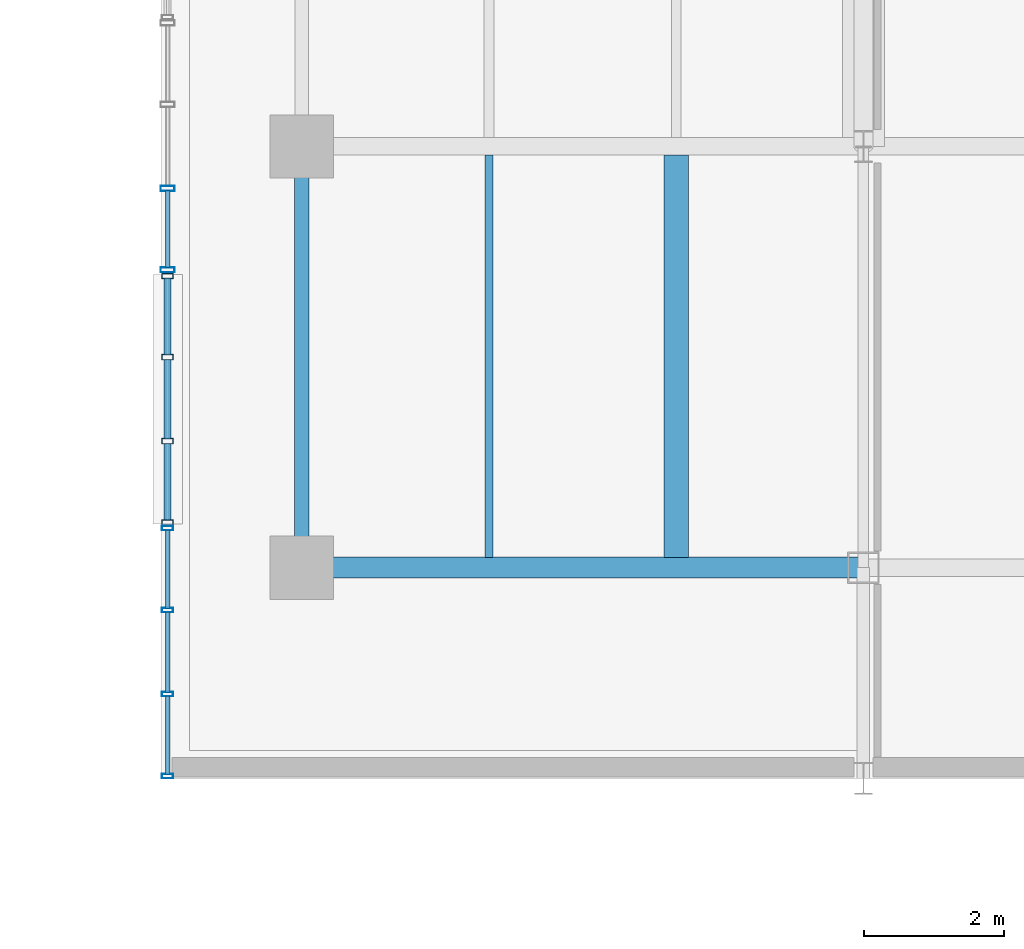
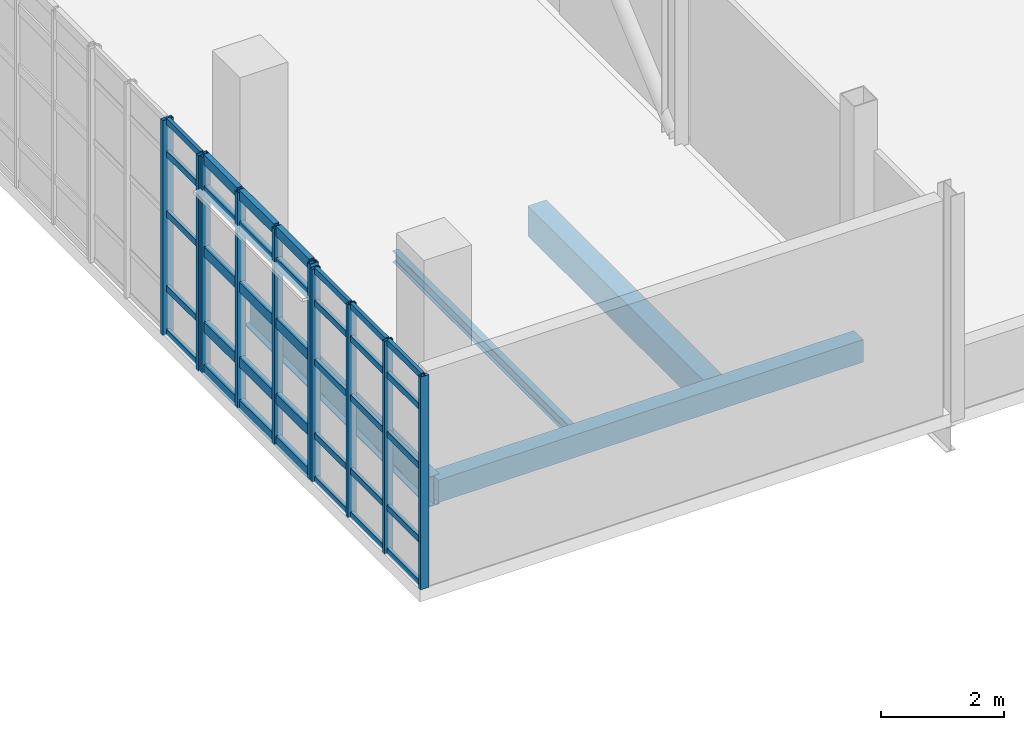
# One storey, part 9 of 38: 45 members, 4 beams, 3 elements without a shape of their own.
"""IFC4 building model written with IfcOpenShell, lengths in metres."""

import ifcopenshell
import ifcopenshell.guid

model = None  # the IFC model being written
_history = None  # IfcOwnerHistory: only IFC2X3 demands one
_inside = {}  # id of a spatial element -> (the spatial element, [elements in it])
_under = {}  # id of a project, library or spatial element -> (it, [spatial elements below it])
_declared = {}  # id of a project -> (the project, [libraries it declares])
_typed = {}  # id of a type object -> (the type object, [elements of that type])
_made_of = {}  # id of a material, layer set ... -> (it, [elements and type objects made of it])


def new_model(schema):
    """Start an empty IFC model of exactly this schema.

    Asked for "IFC4X3", IfcOpenShell would pick the latest addendum, in which some entities
    have other attributes; the version numbers below select the first issue.
    IFC2X3 requires an IfcOwnerHistory on every rooted entity: one is made here for all.
    """
    global model, _history
    if schema == "IFC4X3":
        model = ifcopenshell.file(schema_version=(4, 3, 0, 0))
    else:
        model = ifcopenshell.file(schema=schema)
    _inside.clear()
    _under.clear()
    _declared.clear()
    _typed.clear()
    _made_of.clear()
    _history = None
    if model.schema == "IFC2X3":
        org = make("IfcOrganization", Name="unknown")
        user = make(
            "IfcPersonAndOrganization",
            ThePerson=make("IfcPerson", FamilyName="unknown"),
            TheOrganization=org,
        )
        app = make(
            "IfcApplication",
            ApplicationDeveloper=org,
            Version="unknown",
            ApplicationFullName="unknown",
            ApplicationIdentifier="unknown",
        )
        _history = make(
            "IfcOwnerHistory",
            OwningUser=user,
            OwningApplication=app,
            ChangeAction="ADDED",
            CreationDate=0,
        )
    return model


def make(cls, **values):
    """One entity of the class cls with the attributes given. An attribute that is None is left unset."""
    return model.create_entity(
        cls, **{name: value for name, value in values.items() if value is not None}
    )


def rooted(cls, **values):
    """An entity with a GlobalId (a new one), such as an element, a storey or a relation."""
    return make(cls, GlobalId=ifcopenshell.guid.new(), OwnerHistory=_history, **values)


def si_unit(unit_type, name, prefix=None):
    """IfcSIUnit, for example si_unit("LENGTHUNIT", "METRE", prefix="MILLI")."""
    return make("IfcSIUnit", UnitType=unit_type, Prefix=prefix, Name=name)


def derived_unit(unit_type, elements):
    """IfcDerivedUnit: a product of units, each with its exponent."""
    return make(
        "IfcDerivedUnit",
        Elements=[
            make("IfcDerivedUnitElement", Unit=unit, Exponent=power)
            for unit, power in elements
        ],
        UnitType=unit_type,
    )


def assignment(units):
    """IfcUnitAssignment: the units of a project."""
    return None if units is None else make("IfcUnitAssignment", Units=units)


def point(xyz):
    """IfcCartesianPoint."""
    return None if xyz is None else make("IfcCartesianPoint", Coordinates=xyz)


def direction(xyz):
    """IfcDirection."""
    return None if xyz is None else make("IfcDirection", DirectionRatios=xyz)


def frame(location, z_axis=None, x_axis=None):
    """IfcAxis2Placement3D, a coordinate frame: its origin and axes. An axis left out is left unset."""
    return make(
        "IfcAxis2Placement3D",
        Location=point(location),
        Axis=direction(z_axis),
        RefDirection=direction(x_axis),
    )


def frame_2d(location, x_axis=None):
    """IfcAxis2Placement2D, a coordinate frame in the plane: its origin and x axis."""
    return make(
        "IfcAxis2Placement2D", Location=point(location), RefDirection=direction(x_axis)
    )


def origin():
    """The frame at (0, 0, 0) with its axes left unset."""
    return frame((0.0, 0.0, 0.0))


def origin_2d():
    """The frame at (0, 0) in the plane with its x axis left unset."""
    return frame_2d((0.0, 0.0))


def place(relative_to, where):
    """IfcLocalPlacement: puts the frame where relative to a parent placement (None: the world)."""
    return make(
        "IfcLocalPlacement", PlacementRelTo=relative_to, RelativePlacement=where
    )


def context(
    kind, dimensions, precision=None, world=None, true_north=None, identifier=None
):
    """IfcGeometricRepresentationContext, for example the 3D "Model" context."""
    return make(
        "IfcGeometricRepresentationContext",
        ContextIdentifier=identifier,
        ContextType=kind,
        CoordinateSpaceDimension=dimensions,
        Precision=precision,
        WorldCoordinateSystem=world,
        TrueNorth=true_north,
    )


def subcontext(parent, identifier, kind, view, scale=None):
    """IfcGeometricRepresentationSubContext, for example "Body" below "Model"."""
    return make(
        "IfcGeometricRepresentationSubContext",
        ContextIdentifier=identifier,
        ContextType=kind,
        ParentContext=parent,
        TargetScale=scale,
        TargetView=view,
    )


def project(units=None, contexts=None):
    """IfcProject with its units and contexts."""
    return rooted(
        "IfcProject",
        Name="project",
        RepresentationContexts=contexts,
        UnitsInContext=assignment(units),
    )


def spatial(cls, under=None, at=None, **own):
    """A site, building, storey or space (cls), placed at a placement, below another one or the project."""
    s = rooted(cls, ObjectPlacement=at, **own)
    if under is not None:
        _under.setdefault(under.id(), (under, []))[1].append(s)
    return s


def profile(cls, at=None, kind="AREA", **sizes):
    """A parametric profile (cls). Its sizes go by their IFC names, for example OverallWidth=200.0."""
    return make(cls, ProfileType=kind, Position=at, **sizes)


def rectangle(**sizes):
    """IfcRectangleProfileDef."""
    return profile("IfcRectangleProfileDef", **sizes)


def hollow_rectangle(**sizes):
    """IfcRectangleHollowProfileDef."""
    return profile("IfcRectangleHollowProfileDef", **sizes)


def i_section(**sizes):
    """IfcIShapeProfileDef."""
    return profile("IfcIShapeProfileDef", **sizes)


def extrude(swept, where, along, depth):
    """IfcExtrudedAreaSolid: the profile swept, set in the frame where, extruded along a direction by depth."""
    return make(
        "IfcExtrudedAreaSolid",
        SweptArea=swept,
        Position=where,
        ExtrudedDirection=direction(along),
        Depth=depth,
    )


def shape(context_of_items, identifier, shape_type, items):
    """IfcShapeRepresentation: the items that make up one representation, for example the "Body"."""
    return make(
        "IfcShapeRepresentation",
        ContextOfItems=context_of_items,
        RepresentationIdentifier=identifier,
        RepresentationType=shape_type,
        Items=items,
    )


def material(Name=None, Category=None):
    """IfcMaterial."""
    return make("IfcMaterial", Name=Name, Category=Category)


def layer(
    of_material, thickness, ventilated=None, Name=None, Category=None, Priority=None
):
    """IfcMaterialLayer: one layer of a wall or slab, of a material (None: an air gap)."""
    return make(
        "IfcMaterialLayer",
        Material=of_material,
        LayerThickness=thickness,
        IsVentilated=ventilated,
        Name=Name,
        Category=Category,
        Priority=Priority,
    )


def layer_set(layers, Name=None):
    """IfcMaterialLayerSet."""
    return make("IfcMaterialLayerSet", MaterialLayers=layers, LayerSetName=Name)


def material_profile(
    of_material, cross_section, Name=None, Category=None, Priority=None
):
    """IfcMaterialProfile: a cross section and its material."""
    return make(
        "IfcMaterialProfile",
        Name=Name,
        Material=of_material,
        Profile=cross_section,
        Priority=Priority,
        Category=Category,
    )


def profile_set(profiles, Name=None, composite=None):
    """IfcMaterialProfileSet."""
    return make(
        "IfcMaterialProfileSet",
        Name=Name,
        MaterialProfiles=profiles,
        CompositeProfile=composite,
    )


def made_of(thing, what):
    """Note that an element or type object is made of a material, layer set ...; save() writes the relation."""
    if what is not None:
        _made_of.setdefault(what.id(), (what, []))[1].append(thing)
    return thing


def type_object(cls, material=None, **own):
    """A type object (cls), such as IfcWallType, which elements share."""
    return made_of(rooted(cls, **own), material)


def element(
    cls,
    number,
    at=None,
    inside=None,
    cuts=None,
    type_object=None,
    material=None,
    context=None,
    identifier="Body",
    shape_type=None,
    held_by="IfcProductDefinitionShape",
    body=None,
    shapes=None,
    **own,
):
    """One element of the class cls, such as IfcWall. Its Tag is "e" and its number.

    at: its placement. inside: the storey or other place that contains it. cuts: it is an
    opening in that element (IfcRelVoidsElement). A single representation is given by context,
    identifier, shape_type and body (its items); several are given by shapes. held_by: the class
    of the entity that holds the representations. save() writes the other relations.
    """
    e = rooted(cls, Tag="e%d" % number, ObjectPlacement=at, **own)
    if body is not None:
        shapes = [shape(context, identifier, shape_type, body)]
    if shapes is not None:
        e.Representation = make(held_by, Representations=shapes)
    if inside is not None:
        _inside.setdefault(inside.id(), (inside, []))[1].append(e)
    if cuts is not None:
        rooted(
            "IfcRelVoidsElement", RelatingBuildingElement=cuts, RelatedOpeningElement=e
        )
    if type_object is not None:
        _typed.setdefault(type_object.id(), (type_object, []))[1].append(e)
    return made_of(e, material)


def aggregate(whole, parts):
    """IfcRelAggregates: a whole, such as a stair, and the parts it consists of."""
    return rooted("IfcRelAggregates", RelatingObject=whole, RelatedObjects=parts)


def save(model, path):
    """Write the relations noted so far, then the file.

    IfcRelAggregates (storeys below a building ...), IfcRelContainedInSpatialStructure (elements
    in a storey), IfcRelDefinesByType, IfcRelAssociatesMaterial and IfcRelDeclares: one each for
    every whole, place, type object, material and project.
    """
    for whole, parts in _under.values():
        aggregate(whole, parts)
    for where, things in _inside.values():
        rooted(
            "IfcRelContainedInSpatialStructure",
            RelatedElements=things,
            RelatingStructure=where,
        )
    for kind, things in _typed.values():
        rooted("IfcRelDefinesByType", RelatedObjects=things, RelatingType=kind)
    for what, things in _made_of.values():
        rooted("IfcRelAssociatesMaterial", RelatedObjects=things, RelatingMaterial=what)
    for by, libraries in _declared.values():
        rooted("IfcRelDeclares", RelatingContext=by, RelatedDefinitions=libraries)
    model.write(path)


model = new_model("IFC4")

# Units and contexts
model_context = context("Model", 3, precision=1e-05, world=origin(), true_north=direction((0.0, 1.0)))
body_context = subcontext(model_context, "Body", "Model", "MODEL_VIEW")
ifc_project = project(units=[si_unit("LENGTHUNIT", "METRE"), si_unit("AREAUNIT", "SQUARE_METRE"), si_unit("VOLUMEUNIT", "CUBIC_METRE"), si_unit("PLANEANGLEUNIT", "RADIAN"), si_unit("MASSUNIT", "GRAM", prefix="KILO"), derived_unit("THERMALTRANSMITTANCEUNIT", [(si_unit("POWERUNIT", "WATT"), 1), (si_unit("LENGTHUNIT", "METRE"), -2), (si_unit("THERMODYNAMICTEMPERATUREUNIT", "KELVIN"), -1)])], contexts=[model_context])

# Site, building, storey
site_placement = place(None, origin())
site = spatial("IfcSite", under=ifc_project, at=site_placement, CompositionType="ELEMENT")
building_placement = place(site_placement, origin())
building = spatial("IfcBuilding", under=site, at=building_placement, Name="Nallur Shell Playhouse", CompositionType="ELEMENT")
storey_placement = place(building_placement, frame((0.0, 0.0, 24.300048828125)))
storey = spatial("IfcBuildingStorey", under=building, at=storey_placement, Name="L06", CompositionType="ELEMENT", Elevation=24.300048828125)

# Beams
ifc_material_1 = material(Name="Steel E250", Category="steel")
ifc_material_profile_1 = material_profile(ifc_material_1, i_section(OverallWidth=0.110107421875, OverallDepth=0.22509765625, WebThickness=0.006591796875, FlangeThickness=0.01171875, FilletRadius=0.011962890625, at=origin_2d()), Name="ISMB 225")
ifc_profile_set_1 = profile_set([ifc_material_profile_1], Name="Steel E250")
beam_type_1 = type_object("IfcBeamType", Name="BM-JST-ISMB225", PredefinedType="JOIST", material=ifc_profile_set_1)
beam_1_placement = place(storey_placement, frame((58.666748046875, 50.14794921875, -0.362548828125), z_axis=(0.0, 1.0, 0.0), x_axis=(-1.0, 0.0, 0.0)))
element("IfcBeam", 1, at=beam_1_placement, inside=storey, type_object=beam_type_1, Name="L06 secondary joist 7-F-1205", PredefinedType="JOIST", context=body_context, shape_type="SweptSolid", body=[
    extrude(i_section(OverallWidth=0.110107421875, OverallDepth=0.22509765625, WebThickness=0.006591796875, FlangeThickness=0.01171875, FilletRadius=0.011962890625, at=origin_2d()), origin(), (0.0, 0.0, 1.0), 5.72900390625),
])
ifc_material_2 = material(Name="Concrete M30", Category="concrete")
ifc_material_profile_2 = material_profile(ifc_material_2, rectangle(XDim=0.35009765625, YDim=0.60009765625, at=origin_2d()), Name="RC 350x600")
ifc_profile_set_2 = profile_set([ifc_material_profile_2], Name="Concrete M30")
beam_type_2 = type_object("IfcBeamType", Name="BM-RC-350x600", PredefinedType="JOIST", material=ifc_profile_set_2)
beam_2_placement = place(storey_placement, frame((61.333251953125, 50.14794921875, -0.550048828125), z_axis=(0.0, 1.0, 0.0), x_axis=(-1.0, 0.0, 0.0)))
element("IfcBeam", 2, at=beam_2_placement, inside=storey, type_object=beam_type_2, Name="L06 secondary joist 7-F-1206", PredefinedType="JOIST", context=body_context, shape_type="SweptSolid", body=[
    extrude(rectangle(XDim=0.35009765625, YDim=0.60009765625, at=origin_2d()), origin(), (0.0, 0.0, 1.0), 5.72900390625),
])
ifc_material_3 = material(Name="Concrete M35", Category="concrete")
ifc_material_profile_3 = material_profile(ifc_material_3, rectangle(XDim=0.300048828125, YDim=0.449951171875, at=origin_2d()), Name="RC 300x450")
ifc_profile_set_3 = profile_set([ifc_material_profile_3], Name="Concrete M35")
beam_type_3 = type_object("IfcBeamType", Name="BM-SPN-300x450", PredefinedType="SPANDREL", material=ifc_profile_set_3)
beam_3_placement = place(storey_placement, frame((56.0, 50.0, -0.47509765625), z_axis=(1.0, 0.0, 0.0), x_axis=(0.0, 1.0, 0.0)))
element("IfcBeam", 3, at=beam_3_placement, inside=storey, type_object=beam_type_3, Name="L06 girder X-F-1136", PredefinedType="SPANDREL", context=body_context, shape_type="SweptSolid", body=[
    extrude(rectangle(XDim=0.300048828125, YDim=0.449951171875, at=origin_2d()), origin(), (0.0, 0.0, 1.0), 8.0),
])
ifc_material_4 = material(Name="Steel E350", Category="steel")
ifc_material_profile_4 = material_profile(ifc_material_4, i_section(OverallWidth=0.2099609375, OverallDepth=0.60009765625, WebThickness=0.011962890625, FlangeThickness=0.020751953125, FilletRadius=0.02001953125, at=origin_2d()), Name="ISMB 600")
ifc_profile_set_4 = profile_set([ifc_material_profile_4], Name="Steel E350")
beam_type_4 = type_object("IfcBeamType", Name="BM-ST-ISMB600", PredefinedType="BEAM", material=ifc_profile_set_4)
beam_4_placement = place(storey_placement, frame((56.0, 50.0, -0.550048828125), z_axis=(0.0, 1.0, 0.0), x_axis=(-1.0, 0.0, 0.0)))
element("IfcBeam", 4, at=beam_4_placement, inside=storey, type_object=beam_type_4, Name="L06 girder Y-7-1176", PredefinedType="BEAM", context=body_context, shape_type="SweptSolid", body=[
    extrude(i_section(OverallWidth=0.2099609375, OverallDepth=0.60009765625, WebThickness=0.011962890625, FlangeThickness=0.020751953125, FilletRadius=0.02001953125, at=origin_2d()), origin(), (0.0, 0.0, 1.0), 6.0),
])

# Curtain wall, members
ifc_material_5 = material(Name="Anodised Aluminium Double-Glazed Facade System", Category="aluminium")
ifc_layer_1 = layer(ifc_material_5, 0.176025390625)
ifc_layer_set_1 = layer_set([ifc_layer_1], Name="Anodised Aluminium Double-Glazed Facade System")
curtain_wall_type_1 = type_object("IfcCurtainWallType", Name="CW-UNIT-28", PredefinedType="NOTDEFINED", material=ifc_layer_set_1)
curtain_wall_1_placement = place(storey_placement, origin())
curtain_wall_1 = element("IfcCurtainWall", 5, at=curtain_wall_1_placement, inside=storey, type_object=curtain_wall_type_1, Name="Unitised curtain wall CW-188 (L06)", PredefinedType="NOTDEFINED")
ifc_material_6 = material(Name="Aluminium Alloy 6063-T6 Mullion", Category="aluminium")
ifc_material_profile_5 = material_profile(ifc_material_6, hollow_rectangle(XDim=0.080078125, YDim=0.159912109375, WallThickness=0.006103515625, at=origin_2d()), Name="RHS 160x80x6")
ifc_profile_set_5 = profile_set([ifc_material_profile_5], Name="Aluminium Alloy 6063-T6 Mullion")
member_type_1 = type_object("IfcMemberType", Name="MB-CW-MUL150", PredefinedType="MULLION", material=ifc_profile_set_5)
member_1_placement = place(storey_placement, frame((54.090087890625, 50.64501953125, -0.01513671875), z_axis=(0.0, 0.0, 1.0), x_axis=(0.0, 1.0, 0.0)))
member_1 = element("IfcMember", 6, at=member_1_placement, type_object=member_type_1, Name="CW-28 mullion 1", PredefinedType="MULLION", context=body_context, shape_type="SweptSolid", body=[
    extrude(hollow_rectangle(XDim=0.080078125, YDim=0.159912109375, WallThickness=0.006103515625, at=origin_2d()), origin(), (0.0, 0.0, 1.0), 4.299072265625),
])
member_2_placement = place(storey_placement, frame((54.090087890625, 51.8017578125, -0.01513671875), z_axis=(0.0, 0.0, 1.0), x_axis=(0.0, 1.0, 0.0)))
member_2 = element("IfcMember", 7, at=member_2_placement, type_object=member_type_1, Name="CW-28 mullion 2", PredefinedType="MULLION", context=body_context, shape_type="SweptSolid", body=[
    extrude(hollow_rectangle(XDim=0.080078125, YDim=0.159912109375, WallThickness=0.006103515625, at=origin_2d()), origin(), (0.0, 0.0, 1.0), 4.299072265625),
])
member_3_placement = place(storey_placement, frame((54.090087890625, 52.998291015625, -0.01513671875), z_axis=(0.0, 0.0, 1.0), x_axis=(0.0, 1.0, 0.0)))
member_3 = element("IfcMember", 8, at=member_3_placement, type_object=member_type_1, Name="CW-28 mullion 3", PredefinedType="MULLION", context=body_context, shape_type="SweptSolid", body=[
    extrude(hollow_rectangle(XDim=0.080078125, YDim=0.159912109375, WallThickness=0.006103515625, at=origin_2d()), origin(), (0.0, 0.0, 1.0), 4.299072265625),
])
member_4_placement = place(storey_placement, frame((54.090087890625, 54.155029296875, -0.01513671875), z_axis=(0.0, 0.0, 1.0), x_axis=(0.0, 1.0, 0.0)))
member_4 = element("IfcMember", 9, at=member_4_placement, type_object=member_type_1, Name="CW-28 mullion 4", PredefinedType="MULLION", context=body_context, shape_type="SweptSolid", body=[
    extrude(hollow_rectangle(XDim=0.080078125, YDim=0.159912109375, WallThickness=0.006103515625, at=origin_2d()), origin(), (0.0, 0.0, 1.0), 4.299072265625),
])

ifc_layer_2 = layer(ifc_material_5, 0.172119140625)
ifc_layer_set_2 = layer_set([ifc_layer_2], Name="Anodised Aluminium Double-Glazed Facade System")
curtain_wall_type_2 = type_object("IfcCurtainWallType", Name="CW-UNIT-27", PredefinedType="NOTDEFINED", material=ifc_layer_set_2)
curtain_wall_2_placement = place(storey_placement, origin())
curtain_wall_2 = element("IfcCurtainWall", 10, at=curtain_wall_2_placement, inside=storey, type_object=curtain_wall_type_2, Name="Unitised curtain wall CW-187 (L06)", PredefinedType="NOTDEFINED")
ifc_material_profile_6 = material_profile(ifc_material_6, hollow_rectangle(XDim=0.06494140625, YDim=0.159912109375, WallThickness=0.00390625, at=origin_2d()), Name="ALU 65x160x4")
ifc_profile_set_6 = profile_set([ifc_material_profile_6], Name="Aluminium Alloy 6063-T6 Mullion")
member_type_2 = type_object("IfcMemberType", Name="MB-CW-MUL160", PredefinedType="MULLION", material=ifc_profile_set_6)
member_5_placement = place(storey_placement, frame((54.090087890625, 47.032470703125, -0.01513671875), z_axis=(0.0, 0.0, 1.0), x_axis=(0.0, 1.0, 0.0)))
member_5 = element("IfcMember", 11, at=member_5_placement, type_object=member_type_2, Name="CW-27 mullion 1", PredefinedType="MULLION", context=body_context, shape_type="SweptSolid", body=[
    extrude(hollow_rectangle(XDim=0.06494140625, YDim=0.159912109375, WallThickness=0.00390625, at=origin_2d()), origin(), (0.0, 0.0, 1.0), 4.239013671875),
])
member_6_placement = place(storey_placement, frame((54.090087890625, 48.1982421875, -0.01513671875), z_axis=(0.0, 0.0, 1.0), x_axis=(0.0, 1.0, 0.0)))
member_6 = element("IfcMember", 12, at=member_6_placement, type_object=member_type_2, Name="CW-27 mullion 2", PredefinedType="MULLION", context=body_context, shape_type="SweptSolid", body=[
    extrude(hollow_rectangle(XDim=0.06494140625, YDim=0.159912109375, WallThickness=0.00390625, at=origin_2d()), origin(), (0.0, 0.0, 1.0), 4.239013671875),
])
member_7_placement = place(storey_placement, frame((54.090087890625, 49.396728515625, -0.01513671875), z_axis=(0.0, 0.0, 1.0), x_axis=(0.0, 1.0, 0.0)))
member_7 = element("IfcMember", 13, at=member_7_placement, type_object=member_type_2, Name="CW-27 mullion 3", PredefinedType="MULLION", context=body_context, shape_type="SweptSolid", body=[
    extrude(hollow_rectangle(XDim=0.06494140625, YDim=0.159912109375, WallThickness=0.00390625, at=origin_2d()), origin(), (0.0, 0.0, 1.0), 4.239013671875),
])
member_8_placement = place(storey_placement, frame((54.090087890625, 50.5625, -0.01513671875), z_axis=(0.0, 0.0, 1.0), x_axis=(0.0, 1.0, 0.0)))
member_8 = element("IfcMember", 14, at=member_8_placement, type_object=member_type_2, Name="CW-27 mullion 4", PredefinedType="MULLION", context=body_context, shape_type="SweptSolid", body=[
    extrude(hollow_rectangle(XDim=0.06494140625, YDim=0.159912109375, WallThickness=0.00390625, at=origin_2d()), origin(), (0.0, 0.0, 1.0), 4.239013671875),
])

ifc_layer_3 = layer(ifc_material_5, 0.179931640625)
ifc_layer_set_3 = layer_set([ifc_layer_3], Name="Anodised Aluminium Double-Glazed Facade System")
curtain_wall_type_3 = type_object("IfcCurtainWallType", Name="CW-UNIT-29", PredefinedType="NOTDEFINED", material=ifc_layer_set_3)
curtain_wall_3_placement = place(storey_placement, origin())
curtain_wall_3 = element("IfcCurtainWall", 15, at=curtain_wall_3_placement, inside=storey, type_object=curtain_wall_type_3, Name="Unitised curtain wall CW-189 (L06)", PredefinedType="NOTDEFINED")
ifc_material_profile_7 = material_profile(ifc_material_6, hollow_rectangle(XDim=0.074951171875, YDim=0.199951171875, WallThickness=0.0048828125, at=origin_2d()), Name="ALU 75x200x5")
ifc_profile_set_7 = profile_set([ifc_material_profile_7], Name="Aluminium Alloy 6063-T6 Mullion")
member_type_3 = type_object("IfcMemberType", Name="MB-CW-MUL180", PredefinedType="MULLION", material=ifc_profile_set_7)
member_9_placement = place(storey_placement, frame((54.090087890625, 54.242431640625, -0.01513671875), z_axis=(0.0, 0.0, 1.0), x_axis=(0.0, 1.0, 0.0)))
member_9 = element("IfcMember", 16, at=member_9_placement, type_object=member_type_3, Name="CW-29 mullion 1", PredefinedType="MULLION", context=body_context, shape_type="SweptSolid", body=[
    extrude(hollow_rectangle(XDim=0.074951171875, YDim=0.199951171875, WallThickness=0.0048828125, at=origin_2d()), origin(), (0.0, 0.0, 1.0), 4.279052734375),
])
member_10_placement = place(storey_placement, frame((54.090087890625, 55.401611328125, -0.01513671875), z_axis=(0.0, 0.0, 1.0), x_axis=(0.0, 1.0, 0.0)))
member_10 = element("IfcMember", 17, at=member_10_placement, type_object=member_type_3, Name="CW-29 mullion 2", PredefinedType="MULLION", context=body_context, shape_type="SweptSolid", body=[
    extrude(hollow_rectangle(XDim=0.074951171875, YDim=0.199951171875, WallThickness=0.0048828125, at=origin_2d()), origin(), (0.0, 0.0, 1.0), 4.279052734375),
])

# Member
ifc_material_7 = material(Name="Aluminium Alloy 6063-T6 Transom", Category="aluminium")
ifc_material_profile_8 = material_profile(ifc_material_7, hollow_rectangle(XDim=0.06494140625, YDim=0.1201171875, WallThickness=0.00390625, at=origin_2d()), Name="ALU 65x120x4")
ifc_profile_set_8 = profile_set([ifc_material_profile_8], Name="Aluminium Alloy 6063-T6 Transom")
member_type_4 = type_object("IfcMemberType", Name="MB-CW-TRN120", PredefinedType="USERDEFINED", material=ifc_profile_set_8)
member_11_placement = place(storey_placement, frame((54.090087890625, 47.056884765625, 0.032470703125), z_axis=(0.0, 1.0, 0.0), x_axis=(-1.0, 0.0, 0.0)))
member_11 = element("IfcMember", 18, at=member_11_placement, type_object=member_type_4, Name="CW-27 transom 1.1", ObjectType="TRANSOM", PredefinedType="USERDEFINED", context=body_context, shape_type="SweptSolid", body=[
    extrude(hollow_rectangle(XDim=0.06494140625, YDim=0.1201171875, WallThickness=0.00390625, at=origin_2d()), origin(), (0.0, 0.0, 1.0), 1.116943359375),
])

member_12_placement = place(storey_placement, frame((54.090087890625, 47.056884765625, 0.89990234375), z_axis=(0.0, 1.0, 0.0), x_axis=(-1.0, 0.0, 0.0)))
member_12 = element("IfcMember", 19, at=member_12_placement, type_object=member_type_4, Name="CW-27 transom 1.2", ObjectType="TRANSOM", PredefinedType="USERDEFINED", context=body_context, shape_type="SweptSolid", body=[
    extrude(hollow_rectangle(XDim=0.06494140625, YDim=0.1201171875, WallThickness=0.00390625, at=origin_2d()), origin(), (0.0, 0.0, 1.0), 1.116943359375),
])

member_13_placement = place(storey_placement, frame((54.090087890625, 47.056884765625, 2.363037109375), z_axis=(0.0, 1.0, 0.0), x_axis=(-1.0, 0.0, 0.0)))
member_13 = element("IfcMember", 20, at=member_13_placement, type_object=member_type_4, Name="CW-27 transom 1.3", ObjectType="TRANSOM", PredefinedType="USERDEFINED", context=body_context, shape_type="SweptSolid", body=[
    extrude(hollow_rectangle(XDim=0.06494140625, YDim=0.1201171875, WallThickness=0.00390625, at=origin_2d()), origin(), (0.0, 0.0, 1.0), 1.116943359375),
])

member_14_placement = place(storey_placement, frame((54.090087890625, 47.056884765625, 3.5400390625), z_axis=(0.0, 1.0, 0.0), x_axis=(-1.0, 0.0, 0.0)))
member_14 = element("IfcMember", 21, at=member_14_placement, type_object=member_type_4, Name="CW-27 transom 1.4", ObjectType="TRANSOM", PredefinedType="USERDEFINED", context=body_context, shape_type="SweptSolid", body=[
    extrude(hollow_rectangle(XDim=0.06494140625, YDim=0.1201171875, WallThickness=0.00390625, at=origin_2d()), origin(), (0.0, 0.0, 1.0), 1.116943359375),
])

member_15_placement = place(storey_placement, frame((54.090087890625, 47.056884765625, 4.1875), z_axis=(0.0, 1.0, 0.0), x_axis=(-1.0, 0.0, 0.0)))
member_15 = element("IfcMember", 22, at=member_15_placement, type_object=member_type_4, Name="CW-27 transom 1.5", ObjectType="TRANSOM", PredefinedType="USERDEFINED", context=body_context, shape_type="SweptSolid", body=[
    extrude(hollow_rectangle(XDim=0.06494140625, YDim=0.1201171875, WallThickness=0.00390625, at=origin_2d()), origin(), (0.0, 0.0, 1.0), 1.116943359375),
])

member_16_placement = place(storey_placement, frame((54.090087890625, 48.222900390625, 0.032470703125), z_axis=(0.0, 1.0, 0.0), x_axis=(-1.0, 0.0, 0.0)))
member_16 = element("IfcMember", 23, at=member_16_placement, type_object=member_type_4, Name="CW-27 transom 2.1", ObjectType="TRANSOM", PredefinedType="USERDEFINED", context=body_context, shape_type="SweptSolid", body=[
    extrude(hollow_rectangle(XDim=0.06494140625, YDim=0.1201171875, WallThickness=0.00390625, at=origin_2d()), origin(), (0.0, 0.0, 1.0), 1.149169921875),
])

member_17_placement = place(storey_placement, frame((54.090087890625, 48.222900390625, 0.89990234375), z_axis=(0.0, 1.0, 0.0), x_axis=(-1.0, 0.0, 0.0)))
member_17 = element("IfcMember", 24, at=member_17_placement, type_object=member_type_4, Name="CW-27 transom 2.2", ObjectType="TRANSOM", PredefinedType="USERDEFINED", context=body_context, shape_type="SweptSolid", body=[
    extrude(hollow_rectangle(XDim=0.06494140625, YDim=0.1201171875, WallThickness=0.00390625, at=origin_2d()), origin(), (0.0, 0.0, 1.0), 1.149169921875),
])

member_18_placement = place(storey_placement, frame((54.090087890625, 48.222900390625, 2.363037109375), z_axis=(0.0, 1.0, 0.0), x_axis=(-1.0, 0.0, 0.0)))
member_18 = element("IfcMember", 25, at=member_18_placement, type_object=member_type_4, Name="CW-27 transom 2.3", ObjectType="TRANSOM", PredefinedType="USERDEFINED", context=body_context, shape_type="SweptSolid", body=[
    extrude(hollow_rectangle(XDim=0.06494140625, YDim=0.1201171875, WallThickness=0.00390625, at=origin_2d()), origin(), (0.0, 0.0, 1.0), 1.149169921875),
])

member_19_placement = place(storey_placement, frame((54.090087890625, 48.222900390625, 3.5400390625), z_axis=(0.0, 1.0, 0.0), x_axis=(-1.0, 0.0, 0.0)))
member_19 = element("IfcMember", 26, at=member_19_placement, type_object=member_type_4, Name="CW-27 transom 2.4", ObjectType="TRANSOM", PredefinedType="USERDEFINED", context=body_context, shape_type="SweptSolid", body=[
    extrude(hollow_rectangle(XDim=0.06494140625, YDim=0.1201171875, WallThickness=0.00390625, at=origin_2d()), origin(), (0.0, 0.0, 1.0), 1.149169921875),
])

member_20_placement = place(storey_placement, frame((54.090087890625, 48.222900390625, 4.1875), z_axis=(0.0, 1.0, 0.0), x_axis=(-1.0, 0.0, 0.0)))
member_20 = element("IfcMember", 27, at=member_20_placement, type_object=member_type_4, Name="CW-27 transom 2.5", ObjectType="TRANSOM", PredefinedType="USERDEFINED", context=body_context, shape_type="SweptSolid", body=[
    extrude(hollow_rectangle(XDim=0.06494140625, YDim=0.1201171875, WallThickness=0.00390625, at=origin_2d()), origin(), (0.0, 0.0, 1.0), 1.149169921875),
])

member_21_placement = place(storey_placement, frame((54.090087890625, 49.421142578125, 0.032470703125), z_axis=(0.0, 1.0, 0.0), x_axis=(-1.0, 0.0, 0.0)))
member_21 = element("IfcMember", 28, at=member_21_placement, type_object=member_type_4, Name="CW-27 transom 3.1", ObjectType="TRANSOM", PredefinedType="USERDEFINED", context=body_context, shape_type="SweptSolid", body=[
    extrude(hollow_rectangle(XDim=0.06494140625, YDim=0.1201171875, WallThickness=0.00390625, at=origin_2d()), origin(), (0.0, 0.0, 1.0), 1.116943359375),
])

member_22_placement = place(storey_placement, frame((54.090087890625, 49.421142578125, 0.89990234375), z_axis=(0.0, 1.0, 0.0), x_axis=(-1.0, 0.0, 0.0)))
member_22 = element("IfcMember", 29, at=member_22_placement, type_object=member_type_4, Name="CW-27 transom 3.2", ObjectType="TRANSOM", PredefinedType="USERDEFINED", context=body_context, shape_type="SweptSolid", body=[
    extrude(hollow_rectangle(XDim=0.06494140625, YDim=0.1201171875, WallThickness=0.00390625, at=origin_2d()), origin(), (0.0, 0.0, 1.0), 1.116943359375),
])

member_23_placement = place(storey_placement, frame((54.090087890625, 49.421142578125, 2.363037109375), z_axis=(0.0, 1.0, 0.0), x_axis=(-1.0, 0.0, 0.0)))
member_23 = element("IfcMember", 30, at=member_23_placement, type_object=member_type_4, Name="CW-27 transom 3.3", ObjectType="TRANSOM", PredefinedType="USERDEFINED", context=body_context, shape_type="SweptSolid", body=[
    extrude(hollow_rectangle(XDim=0.06494140625, YDim=0.1201171875, WallThickness=0.00390625, at=origin_2d()), origin(), (0.0, 0.0, 1.0), 1.116943359375),
])

member_24_placement = place(storey_placement, frame((54.090087890625, 49.421142578125, 3.5400390625), z_axis=(0.0, 1.0, 0.0), x_axis=(-1.0, 0.0, 0.0)))
member_24 = element("IfcMember", 31, at=member_24_placement, type_object=member_type_4, Name="CW-27 transom 3.4", ObjectType="TRANSOM", PredefinedType="USERDEFINED", context=body_context, shape_type="SweptSolid", body=[
    extrude(hollow_rectangle(XDim=0.06494140625, YDim=0.1201171875, WallThickness=0.00390625, at=origin_2d()), origin(), (0.0, 0.0, 1.0), 1.116943359375),
])

member_25_placement = place(storey_placement, frame((54.090087890625, 49.421142578125, 4.1875), z_axis=(0.0, 1.0, 0.0), x_axis=(-1.0, 0.0, 0.0)))
member_25 = element("IfcMember", 32, at=member_25_placement, type_object=member_type_4, Name="CW-27 transom 3.5", ObjectType="TRANSOM", PredefinedType="USERDEFINED", context=body_context, shape_type="SweptSolid", body=[
    extrude(hollow_rectangle(XDim=0.06494140625, YDim=0.1201171875, WallThickness=0.00390625, at=origin_2d()), origin(), (0.0, 0.0, 1.0), 1.116943359375),
])

aggregate(curtain_wall_2, [member_5, member_6, member_7, member_8, member_11, member_12, member_13, member_14, member_15, member_16, member_17, member_18, member_19, member_20, member_21, member_22, member_23, member_24, member_25])

member_26_placement = place(storey_placement, frame((54.090087890625, 54.27197265625, 0.032470703125), z_axis=(0.0, 1.0, 0.0), x_axis=(-1.0, 0.0, 0.0)))
member_26 = element("IfcMember", 33, at=member_26_placement, type_object=member_type_4, Name="CW-29 transom 1.1", ObjectType="TRANSOM", PredefinedType="USERDEFINED", context=body_context, shape_type="SweptSolid", body=[
    extrude(hollow_rectangle(XDim=0.06494140625, YDim=0.1201171875, WallThickness=0.00390625, at=origin_2d()), origin(), (0.0, 0.0, 1.0), 1.10009765625),
])

member_27_placement = place(storey_placement, frame((54.090087890625, 54.27197265625, 0.89990234375), z_axis=(0.0, 1.0, 0.0), x_axis=(-1.0, 0.0, 0.0)))
member_27 = element("IfcMember", 34, at=member_27_placement, type_object=member_type_4, Name="CW-29 transom 1.2", ObjectType="TRANSOM", PredefinedType="USERDEFINED", context=body_context, shape_type="SweptSolid", body=[
    extrude(hollow_rectangle(XDim=0.06494140625, YDim=0.1201171875, WallThickness=0.00390625, at=origin_2d()), origin(), (0.0, 0.0, 1.0), 1.10009765625),
])

member_28_placement = place(storey_placement, frame((54.090087890625, 54.27197265625, 2.385986328125), z_axis=(0.0, 1.0, 0.0), x_axis=(-1.0, 0.0, 0.0)))
member_28 = element("IfcMember", 35, at=member_28_placement, type_object=member_type_4, Name="CW-29 transom 1.3", ObjectType="TRANSOM", PredefinedType="USERDEFINED", context=body_context, shape_type="SweptSolid", body=[
    extrude(hollow_rectangle(XDim=0.06494140625, YDim=0.1201171875, WallThickness=0.00390625, at=origin_2d()), origin(), (0.0, 0.0, 1.0), 1.10009765625),
])

member_29_placement = place(storey_placement, frame((54.090087890625, 54.27197265625, 3.579833984375), z_axis=(0.0, 1.0, 0.0), x_axis=(-1.0, 0.0, 0.0)))
member_29 = element("IfcMember", 36, at=member_29_placement, type_object=member_type_4, Name="CW-29 transom 1.4", ObjectType="TRANSOM", PredefinedType="USERDEFINED", context=body_context, shape_type="SweptSolid", body=[
    extrude(hollow_rectangle(XDim=0.06494140625, YDim=0.1201171875, WallThickness=0.00390625, at=origin_2d()), origin(), (0.0, 0.0, 1.0), 1.10009765625),
])

member_30_placement = place(storey_placement, frame((54.090087890625, 54.27197265625, 4.2275390625), z_axis=(0.0, 1.0, 0.0), x_axis=(-1.0, 0.0, 0.0)))
member_30 = element("IfcMember", 37, at=member_30_placement, type_object=member_type_4, Name="CW-29 transom 1.5", ObjectType="TRANSOM", PredefinedType="USERDEFINED", context=body_context, shape_type="SweptSolid", body=[
    extrude(hollow_rectangle(XDim=0.06494140625, YDim=0.1201171875, WallThickness=0.00390625, at=origin_2d()), origin(), (0.0, 0.0, 1.0), 1.10009765625),
])

aggregate(curtain_wall_3, [member_9, member_10, member_26, member_27, member_28, member_29, member_30])

ifc_material_profile_9 = material_profile(ifc_material_7, hollow_rectangle(XDim=0.10009765625, YDim=0.199951171875, WallThickness=0.008056640625, at=origin_2d()), Name="RHS 200x100x8")
ifc_profile_set_9 = profile_set([ifc_material_profile_9], Name="Aluminium Alloy 6063-T6 Transom")
member_type_5 = type_object("IfcMemberType", Name="MB-CW-TRN140", PredefinedType="USERDEFINED", material=ifc_profile_set_9)
member_31_placement = place(storey_placement, frame((54.090087890625, 50.677001953125, 0.050048828125), z_axis=(0.0, 1.0, 0.0), x_axis=(-1.0, 0.0, 0.0)))
member_31 = element("IfcMember", 38, at=member_31_placement, type_object=member_type_5, Name="CW-28 transom 1.1", ObjectType="TRANSOM", PredefinedType="USERDEFINED", context=body_context, shape_type="SweptSolid", body=[
    extrude(hollow_rectangle(XDim=0.10009765625, YDim=0.199951171875, WallThickness=0.008056640625, at=origin_2d()), origin(), (0.0, 0.0, 1.0), 1.0927734375),
])

member_32_placement = place(storey_placement, frame((54.090087890625, 50.677001953125, 0.89990234375), z_axis=(0.0, 1.0, 0.0), x_axis=(-1.0, 0.0, 0.0)))
member_32 = element("IfcMember", 39, at=member_32_placement, type_object=member_type_5, Name="CW-28 transom 1.2", ObjectType="TRANSOM", PredefinedType="USERDEFINED", context=body_context, shape_type="SweptSolid", body=[
    extrude(hollow_rectangle(XDim=0.10009765625, YDim=0.199951171875, WallThickness=0.008056640625, at=origin_2d()), origin(), (0.0, 0.0, 1.0), 1.0927734375),
])

member_33_placement = place(storey_placement, frame((54.090087890625, 50.677001953125, 2.39697265625), z_axis=(0.0, 1.0, 0.0), x_axis=(-1.0, 0.0, 0.0)))
member_33 = element("IfcMember", 40, at=member_33_placement, type_object=member_type_5, Name="CW-28 transom 1.3", ObjectType="TRANSOM", PredefinedType="USERDEFINED", context=body_context, shape_type="SweptSolid", body=[
    extrude(hollow_rectangle(XDim=0.10009765625, YDim=0.199951171875, WallThickness=0.008056640625, at=origin_2d()), origin(), (0.0, 0.0, 1.0), 1.0927734375),
])

member_34_placement = place(storey_placement, frame((54.090087890625, 50.677001953125, 3.599853515625), z_axis=(0.0, 1.0, 0.0), x_axis=(-1.0, 0.0, 0.0)))
member_34 = element("IfcMember", 41, at=member_34_placement, type_object=member_type_5, Name="CW-28 transom 1.4", ObjectType="TRANSOM", PredefinedType="USERDEFINED", context=body_context, shape_type="SweptSolid", body=[
    extrude(hollow_rectangle(XDim=0.10009765625, YDim=0.199951171875, WallThickness=0.008056640625, at=origin_2d()), origin(), (0.0, 0.0, 1.0), 1.0927734375),
])

member_35_placement = place(storey_placement, frame((54.090087890625, 50.677001953125, 4.22998046875), z_axis=(0.0, 1.0, 0.0), x_axis=(-1.0, 0.0, 0.0)))
member_35 = element("IfcMember", 42, at=member_35_placement, type_object=member_type_5, Name="CW-28 transom 1.5", ObjectType="TRANSOM", PredefinedType="USERDEFINED", context=body_context, shape_type="SweptSolid", body=[
    extrude(hollow_rectangle(XDim=0.10009765625, YDim=0.199951171875, WallThickness=0.008056640625, at=origin_2d()), origin(), (0.0, 0.0, 1.0), 1.0927734375),
])

member_36_placement = place(storey_placement, frame((54.090087890625, 51.833740234375, 0.050048828125), z_axis=(0.0, 1.0, 0.0), x_axis=(-1.0, 0.0, 0.0)))
member_36 = element("IfcMember", 43, at=member_36_placement, type_object=member_type_5, Name="CW-28 transom 2.1", ObjectType="TRANSOM", PredefinedType="USERDEFINED", context=body_context, shape_type="SweptSolid", body=[
    extrude(hollow_rectangle(XDim=0.10009765625, YDim=0.199951171875, WallThickness=0.008056640625, at=origin_2d()), origin(), (0.0, 0.0, 1.0), 1.132568359375),
])

member_37_placement = place(storey_placement, frame((54.090087890625, 51.833740234375, 0.89990234375), z_axis=(0.0, 1.0, 0.0), x_axis=(-1.0, 0.0, 0.0)))
member_37 = element("IfcMember", 44, at=member_37_placement, type_object=member_type_5, Name="CW-28 transom 2.2", ObjectType="TRANSOM", PredefinedType="USERDEFINED", context=body_context, shape_type="SweptSolid", body=[
    extrude(hollow_rectangle(XDim=0.10009765625, YDim=0.199951171875, WallThickness=0.008056640625, at=origin_2d()), origin(), (0.0, 0.0, 1.0), 1.132568359375),
])

member_38_placement = place(storey_placement, frame((54.090087890625, 51.833740234375, 2.39697265625), z_axis=(0.0, 1.0, 0.0), x_axis=(-1.0, 0.0, 0.0)))
member_38 = element("IfcMember", 45, at=member_38_placement, type_object=member_type_5, Name="CW-28 transom 2.3", ObjectType="TRANSOM", PredefinedType="USERDEFINED", context=body_context, shape_type="SweptSolid", body=[
    extrude(hollow_rectangle(XDim=0.10009765625, YDim=0.199951171875, WallThickness=0.008056640625, at=origin_2d()), origin(), (0.0, 0.0, 1.0), 1.132568359375),
])

member_39_placement = place(storey_placement, frame((54.090087890625, 51.833740234375, 3.599853515625), z_axis=(0.0, 1.0, 0.0), x_axis=(-1.0, 0.0, 0.0)))
member_39 = element("IfcMember", 46, at=member_39_placement, type_object=member_type_5, Name="CW-28 transom 2.4", ObjectType="TRANSOM", PredefinedType="USERDEFINED", context=body_context, shape_type="SweptSolid", body=[
    extrude(hollow_rectangle(XDim=0.10009765625, YDim=0.199951171875, WallThickness=0.008056640625, at=origin_2d()), origin(), (0.0, 0.0, 1.0), 1.132568359375),
])

member_40_placement = place(storey_placement, frame((54.090087890625, 51.833740234375, 4.22998046875), z_axis=(0.0, 1.0, 0.0), x_axis=(-1.0, 0.0, 0.0)))
member_40 = element("IfcMember", 47, at=member_40_placement, type_object=member_type_5, Name="CW-28 transom 2.5", ObjectType="TRANSOM", PredefinedType="USERDEFINED", context=body_context, shape_type="SweptSolid", body=[
    extrude(hollow_rectangle(XDim=0.10009765625, YDim=0.199951171875, WallThickness=0.008056640625, at=origin_2d()), origin(), (0.0, 0.0, 1.0), 1.132568359375),
])

member_41_placement = place(storey_placement, frame((54.090087890625, 53.0302734375, 0.050048828125), z_axis=(0.0, 1.0, 0.0), x_axis=(-1.0, 0.0, 0.0)))
member_41 = element("IfcMember", 48, at=member_41_placement, type_object=member_type_5, Name="CW-28 transom 3.1", ObjectType="TRANSOM", PredefinedType="USERDEFINED", context=body_context, shape_type="SweptSolid", body=[
    extrude(hollow_rectangle(XDim=0.10009765625, YDim=0.199951171875, WallThickness=0.008056640625, at=origin_2d()), origin(), (0.0, 0.0, 1.0), 1.0927734375),
])

member_42_placement = place(storey_placement, frame((54.090087890625, 53.0302734375, 0.89990234375), z_axis=(0.0, 1.0, 0.0), x_axis=(-1.0, 0.0, 0.0)))
member_42 = element("IfcMember", 49, at=member_42_placement, type_object=member_type_5, Name="CW-28 transom 3.2", ObjectType="TRANSOM", PredefinedType="USERDEFINED", context=body_context, shape_type="SweptSolid", body=[
    extrude(hollow_rectangle(XDim=0.10009765625, YDim=0.199951171875, WallThickness=0.008056640625, at=origin_2d()), origin(), (0.0, 0.0, 1.0), 1.0927734375),
])

member_43_placement = place(storey_placement, frame((54.090087890625, 53.0302734375, 2.39697265625), z_axis=(0.0, 1.0, 0.0), x_axis=(-1.0, 0.0, 0.0)))
member_43 = element("IfcMember", 50, at=member_43_placement, type_object=member_type_5, Name="CW-28 transom 3.3", ObjectType="TRANSOM", PredefinedType="USERDEFINED", context=body_context, shape_type="SweptSolid", body=[
    extrude(hollow_rectangle(XDim=0.10009765625, YDim=0.199951171875, WallThickness=0.008056640625, at=origin_2d()), origin(), (0.0, 0.0, 1.0), 1.0927734375),
])

member_44_placement = place(storey_placement, frame((54.090087890625, 53.0302734375, 3.599853515625), z_axis=(0.0, 1.0, 0.0), x_axis=(-1.0, 0.0, 0.0)))
member_44 = element("IfcMember", 51, at=member_44_placement, type_object=member_type_5, Name="CW-28 transom 3.4", ObjectType="TRANSOM", PredefinedType="USERDEFINED", context=body_context, shape_type="SweptSolid", body=[
    extrude(hollow_rectangle(XDim=0.10009765625, YDim=0.199951171875, WallThickness=0.008056640625, at=origin_2d()), origin(), (0.0, 0.0, 1.0), 1.0927734375),
])

member_45_placement = place(storey_placement, frame((54.090087890625, 53.0302734375, 4.22998046875), z_axis=(0.0, 1.0, 0.0), x_axis=(-1.0, 0.0, 0.0)))
member_45 = element("IfcMember", 52, at=member_45_placement, type_object=member_type_5, Name="CW-28 transom 3.5", ObjectType="TRANSOM", PredefinedType="USERDEFINED", context=body_context, shape_type="SweptSolid", body=[
    extrude(hollow_rectangle(XDim=0.10009765625, YDim=0.199951171875, WallThickness=0.008056640625, at=origin_2d()), origin(), (0.0, 0.0, 1.0), 1.0927734375),
])

aggregate(curtain_wall_1, [member_1, member_2, member_3, member_4, member_31, member_32, member_33, member_34, member_35, member_36, member_37, member_38, member_39, member_40, member_41, member_42, member_43, member_44, member_45])

save(model, "model.ifc")
